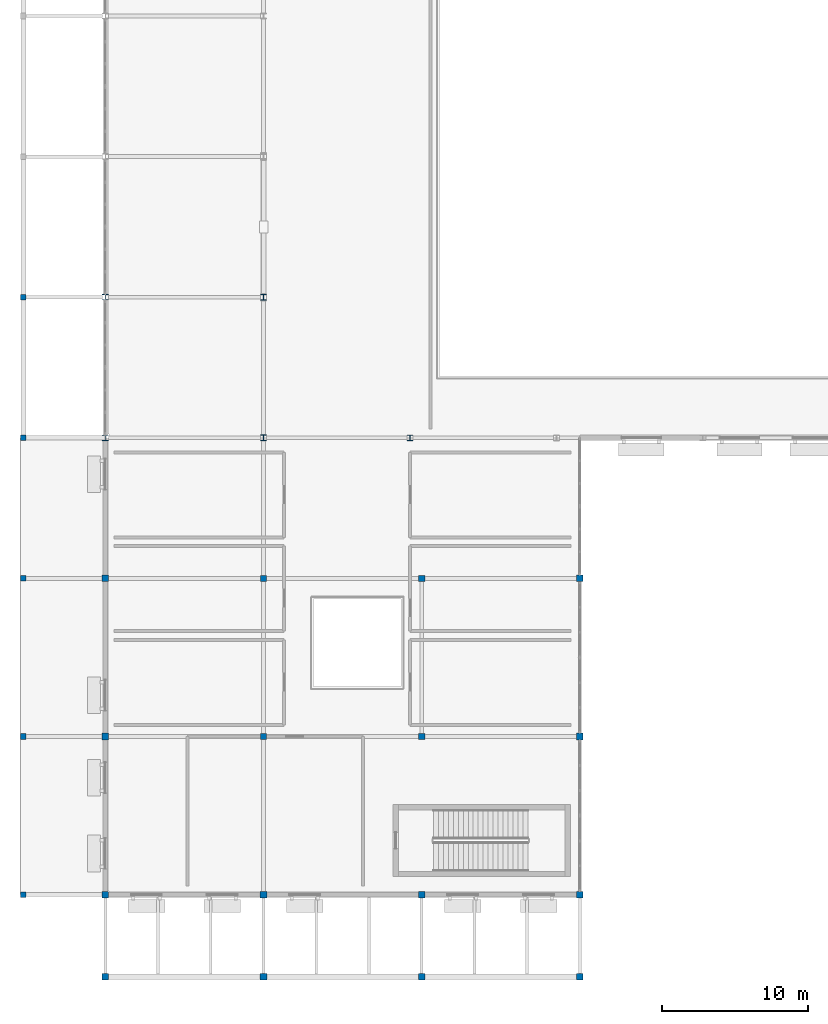
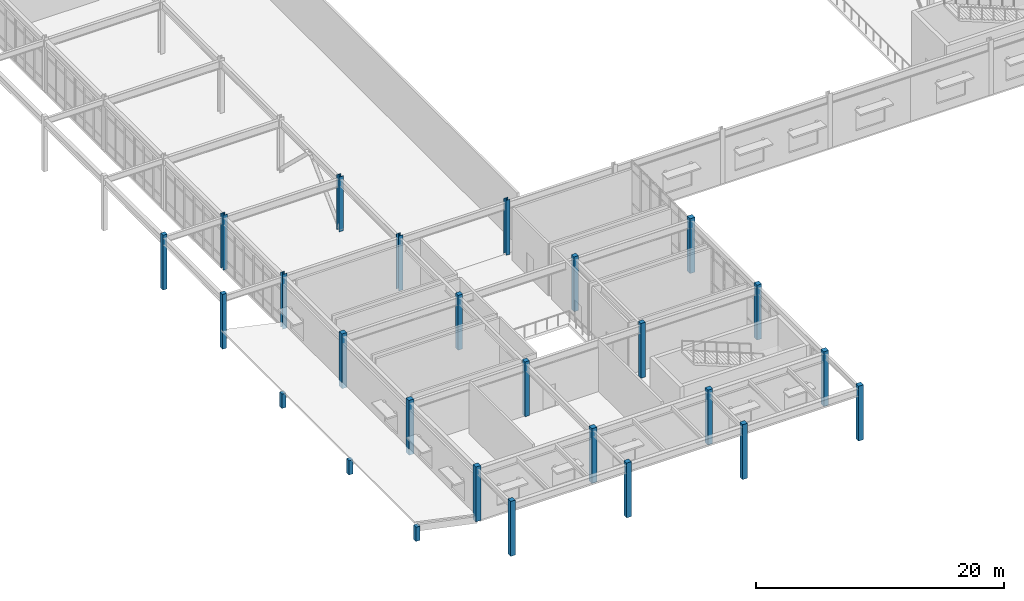
# One storey, part 1 of 72: 26 columns.
"""IFC4 building model written with IfcOpenShell, lengths in metres."""

from ifc_helpers import new_model, si_unit, direction, frame, origin, origin_2d, place, context, subcontext, project, spatial, rectangle, i_section, extrude, material, material_profile, profile_set, type_object, element, save


model = new_model("IFC4")

# Units and contexts
model_context = context("Model", 3, precision=1e-05, world=origin(), true_north=direction((0.0, 1.0)))
body_context = subcontext(model_context, "Body", "Model", "MODEL_VIEW")
ifc_project = project(units=[si_unit("LENGTHUNIT", "METRE"), si_unit("AREAUNIT", "SQUARE_METRE"), si_unit("VOLUMEUNIT", "CUBIC_METRE"), si_unit("PLANEANGLEUNIT", "RADIAN"), si_unit("MASSUNIT", "GRAM", prefix="KILO")], contexts=[model_context])

# Site, building, storey
site_placement = place(None, origin())
site = spatial("IfcSite", under=ifc_project, at=site_placement, CompositionType="ELEMENT")
building_placement = place(site_placement, origin())
building = spatial("IfcBuilding", under=site, at=building_placement, Name="Veldera Park Congress Hotel", CompositionType="ELEMENT")
storey_placement = place(building_placement, frame((0.0, 0.0, 5.39990234375)))
storey = spatial("IfcBuildingStorey", under=building, at=storey_placement, Name="L01", CompositionType="ELEMENT", Elevation=5.39990234375)

# Columns
ifc_material_1 = material(Name="Glulam GL28h (NDS 24F-V4)", Category="wood")
ifc_material_profile_1 = material_profile(ifc_material_1, rectangle(XDim=0.389892578125, YDim=0.389892578125, at=origin_2d()), Name="GL28h 390x390")
ifc_profile_set_1 = profile_set([ifc_material_profile_1], Name="Glulam GL28h (NDS 24F-V4)")
column_type_1 = type_object("IfcColumnType", Name="COL-GL36E", PredefinedType="COLUMN", material=ifc_profile_set_1)
for number, where, z_axis, x_axis, name in (
    (1, (-83.800048828125, -21.0, 0.0), (0.0, 0.0, 1.0), (1.0, 0.0, 0.0), "L01 Column COL-GL36E (-83.8,-21.0)"),
    (2, (-83.800048828125, -11.39990234375, 0.0), (0.0, 0.0, 1.0), (1.0, 0.0, 0.0), "L01 Column COL-GL36E (-83.8,-11.4)"),
):
    element("IfcColumn", number, at=place(storey_placement, frame(where, z_axis=z_axis, x_axis=x_axis)), inside=storey, type_object=column_type_1, Name=name, PredefinedType="COLUMN", context=body_context, shape_type="SweptSolid", body=[
        extrude(rectangle(XDim=0.389892578125, YDim=0.389892578125, at=origin_2d()), origin(), (0.0, 0.0, 1.0), 5.400146484375),
    ])
for number, where, z_axis, x_axis, name in (
    (3, (-83.800048828125, -52.199951171875, 0.0), (0.0, 0.0, 1.0), (1.0, 0.0, 0.0), "L01 Column COL-GL36E (-83.8,-52.2)"),
    (4, (-83.800048828125, -41.39990234375, 0.0), (0.0, 0.0, 1.0), (1.0, 0.0, 0.0), "L01 Column COL-GL36E (-83.8,-41.4)"),
    (5, (-83.800048828125, -30.60009765625, 0.0), (0.0, 0.0, 1.0), (1.0, 0.0, 0.0), "L01 Column COL-GL36E (-83.8,-30.6)"),
):
    element("IfcColumn", number, at=place(storey_placement, frame(where, z_axis=z_axis, x_axis=x_axis)), inside=storey, type_object=column_type_1, Name=name, PredefinedType="COLUMN", context=body_context, shape_type="SweptSolid", body=[
        extrude(rectangle(XDim=0.389892578125, YDim=0.389892578125, at=origin_2d()), origin(), (0.0, 0.0, 1.0), 1.400146484375),
    ])
ifc_material_profile_2 = material_profile(ifc_material_1, rectangle(XDim=0.419921875, YDim=0.419921875, at=origin_2d()), Name="GL28h 420x420")
ifc_profile_set_2 = profile_set([ifc_material_profile_2], Name="Glulam GL28h (NDS 24F-V4)")
column_type_2 = type_object("IfcColumnType", Name="COL-GL42", PredefinedType="COLUMN", material=ifc_profile_set_2)
for number, where, z_axis, x_axis, name in (
    (6, (-67.39990234375, -41.39990234375, 0.0), (0.0, 0.0, 1.0), (1.0, 0.0, 0.0), "L01 Column COL-GL42 (-67.4,-41.4)"),
    (7, (-67.39990234375, -30.60009765625, 0.0), (0.0, 0.0, 1.0), (1.0, 0.0, 0.0), "L01 Column COL-GL42 (-67.4,-30.6)"),
    (8, (-56.60009765625, -41.39990234375, 0.0), (0.0, 0.0, 1.0), (1.0, 0.0, 0.0), "L01 Column COL-GL42 (-56.6,-41.4)"),
    (9, (-56.60009765625, -30.60009765625, 0.0), (0.0, 0.0, 1.0), (1.0, 0.0, 0.0), "L01 Column COL-GL42 (-56.6,-30.6)"),
):
    element("IfcColumn", number, at=place(storey_placement, frame(where, z_axis=z_axis, x_axis=x_axis)), inside=storey, type_object=column_type_2, Name=name, PredefinedType="COLUMN", context=body_context, shape_type="SweptSolid", body=[
        extrude(rectangle(XDim=0.419921875, YDim=0.419921875, at=origin_2d()), origin(), (0.0, 0.0, 1.0), 5.400146484375),
    ])
ifc_material_profile_3 = material_profile(ifc_material_1, rectangle(XDim=0.449951171875, YDim=0.449951171875, at=origin_2d()), Name="GL28h 450x450")
ifc_profile_set_3 = profile_set([ifc_material_profile_3], Name="Glulam GL28h (NDS 24F-V4)")
column_type_3 = type_object("IfcColumnType", Name="COL-GL42E", PredefinedType="COLUMN", material=ifc_profile_set_3)
for number, where, z_axis, x_axis, name in (
    (10, (-78.199951171875, -57.800048828125, 0.0), (0.0, 0.0, 1.0), (1.0, 0.0, 0.0), "L01 Column COL-GL42E (-78.2,-57.8)"),
    (11, (-78.199951171875, -52.199951171875, 0.0), (0.0, 0.0, 1.0), (1.0, 0.0, 0.0), "L01 Column COL-GL42E (-78.2,-52.2)"),
    (12, (-78.199951171875, -41.39990234375, 0.0), (0.0, 0.0, 1.0), (1.0, 0.0, 0.0), "L01 Column COL-GL42E (-78.2,-41.4)"),
    (13, (-78.199951171875, -30.60009765625, 0.0), (0.0, 0.0, 1.0), (1.0, 0.0, 0.0), "L01 Column COL-GL42E (-78.2,-30.6)"),
    (14, (-67.39990234375, -57.800048828125, 0.0), (0.0, 0.0, 1.0), (1.0, 0.0, 0.0), "L01 Column COL-GL42E (-67.4,-57.8)"),
    (15, (-67.39990234375, -52.199951171875, 0.0), (0.0, 0.0, 1.0), (1.0, 0.0, 0.0), "L01 Column COL-GL42E (-67.4,-52.2)"),
    (16, (-56.60009765625, -57.800048828125, 0.0), (0.0, 0.0, 1.0), (1.0, 0.0, 0.0), "L01 Column COL-GL42E (-56.6,-57.8)"),
    (17, (-56.60009765625, -52.199951171875, 0.0), (0.0, 0.0, 1.0), (1.0, 0.0, 0.0), "L01 Column COL-GL42E (-56.6,-52.2)"),
    (18, (-45.800048828125, -57.800048828125, 0.0), (0.0, 0.0, 1.0), (1.0, 0.0, 0.0), "L01 Column COL-GL42E (-45.8,-57.8)"),
    (19, (-45.800048828125, -52.199951171875, 0.0), (0.0, 0.0, 1.0), (1.0, 0.0, 0.0), "L01 Column COL-GL42E (-45.8,-52.2)"),
    (20, (-45.800048828125, -41.39990234375, 0.0), (0.0, 0.0, 1.0), (1.0, 0.0, 0.0), "L01 Column COL-GL42E (-45.8,-41.4)"),
    (21, (-45.800048828125, -30.60009765625, 0.0), (0.0, 0.0, 1.0), (1.0, 0.0, 0.0), "L01 Column COL-GL42E (-45.8,-30.6)"),
):
    element("IfcColumn", number, at=place(storey_placement, frame(where, z_axis=z_axis, x_axis=x_axis)), inside=storey, type_object=column_type_3, Name=name, PredefinedType="COLUMN", context=body_context, shape_type="SweptSolid", body=[
        extrude(rectangle(XDim=0.449951171875, YDim=0.449951171875, at=origin_2d()), origin(), (0.0, 0.0, 1.0), 5.400146484375),
    ])
ifc_material_2 = material(Name="Steel ASTM A992 Gr.50", Category="steel")
ifc_material_profile_4 = material_profile(ifc_material_2, i_section(OverallWidth=0.39404296875, OverallDepth=0.375, WebThickness=0.017333984375, FlangeThickness=0.027587890625, at=origin_2d()), Name="W14X145")
ifc_profile_set_4 = profile_set([ifc_material_profile_4], Name="Steel ASTM A992 Gr.50")
column_type_4 = type_object("IfcColumnType", Name="COL-STL132E", PredefinedType="COLUMN", material=ifc_profile_set_4)
for number, where, z_axis, x_axis, name in (
    (22, (-78.199951171875, -21.0, 0.0), (0.0, 0.0, 1.0), (1.0, 0.0, 0.0), "L01 Column COL-STL132E (-78.2,-21.0)"),
    (23, (-78.199951171875, -11.39990234375, 0.0), (0.0, 0.0, 1.0), (1.0, 0.0, 0.0), "L01 Column COL-STL132E (-78.2,-11.4)"),
):
    element("IfcColumn", number, at=place(storey_placement, frame(where, z_axis=z_axis, x_axis=x_axis)), inside=storey, type_object=column_type_4, Name=name, PredefinedType="COLUMN", context=body_context, shape_type="SweptSolid", body=[
        extrude(i_section(OverallWidth=0.39404296875, OverallDepth=0.375, WebThickness=0.017333984375, FlangeThickness=0.027587890625, at=origin_2d()), origin(), (0.0, 0.0, 1.0), 5.400146484375),
    ])
ifc_material_profile_5 = material_profile(ifc_material_2, i_section(OverallWidth=0.39599609375, OverallDepth=0.381103515625, WebThickness=0.018798828125, FlangeThickness=0.0302734375, at=origin_2d()), Name="W14X159")
ifc_profile_set_5 = profile_set([ifc_material_profile_5], Name="Steel ASTM A992 Gr.50")
column_type_5 = type_object("IfcColumnType", Name="COL-STL159E", PredefinedType="COLUMN", material=ifc_profile_set_5)
column_1_placement = place(storey_placement, frame((-57.39990234375, -21.0, 0.0), z_axis=(0.0, 0.0, 1.0), x_axis=(1.0, 0.0, 0.0)))
element("IfcColumn", 24, at=column_1_placement, inside=storey, type_object=column_type_5, Name="L01 Column COL-STL159E (-57.4,-21.0)", PredefinedType="COLUMN", context=body_context, shape_type="SweptSolid", body=[
    extrude(i_section(OverallWidth=0.39599609375, OverallDepth=0.381103515625, WebThickness=0.018798828125, FlangeThickness=0.0302734375, at=origin_2d()), origin(), (0.0, 0.0, 1.0), 5.400146484375),
])
ifc_material_profile_6 = material_profile(ifc_material_2, i_section(OverallWidth=0.40087890625, OverallDepth=0.39892578125, WebThickness=0.02490234375, FlangeThickness=0.03955078125, at=origin_2d()), Name="W14X211")
ifc_profile_set_6 = profile_set([ifc_material_profile_6], Name="Steel ASTM A992 Gr.50")
column_type_6 = type_object("IfcColumnType", Name="COL-STL211", PredefinedType="COLUMN", material=ifc_profile_set_6)
column_2_placement = place(storey_placement, frame((-67.39990234375, -11.39990234375, 0.0), z_axis=(0.0, 0.0, 1.0), x_axis=(1.0, 0.0, 0.0)))
element("IfcColumn", 25, at=column_2_placement, inside=storey, type_object=column_type_6, Name="L01 Column COL-STL211 (-67.4,-11.4)", PredefinedType="COLUMN", context=body_context, shape_type="SweptSolid", body=[
    extrude(i_section(OverallWidth=0.40087890625, OverallDepth=0.39892578125, WebThickness=0.02490234375, FlangeThickness=0.03955078125, at=origin_2d()), origin(), (0.0, 0.0, 1.0), 5.400146484375),
])
ifc_material_profile_7 = material_profile(ifc_material_2, i_section(OverallWidth=0.40087890625, OverallDepth=0.39892578125, WebThickness=0.02490234375, FlangeThickness=0.03955078125, at=origin_2d()), Name="W14X211")
ifc_profile_set_7 = profile_set([ifc_material_profile_7], Name="Steel ASTM A992 Gr.50")
column_type_7 = type_object("IfcColumnType", Name="COL-STL211E", PredefinedType="COLUMN", material=ifc_profile_set_7)
column_3_placement = place(storey_placement, frame((-67.39990234375, -21.0, 0.0), z_axis=(0.0, 0.0, 1.0), x_axis=(1.0, 0.0, 0.0)))
element("IfcColumn", 26, at=column_3_placement, inside=storey, type_object=column_type_7, Name="L01 Column COL-STL211E (-67.4,-21.0)", PredefinedType="COLUMN", context=body_context, shape_type="SweptSolid", body=[
    extrude(i_section(OverallWidth=0.40087890625, OverallDepth=0.39892578125, WebThickness=0.02490234375, FlangeThickness=0.03955078125, at=origin_2d()), origin(), (0.0, 0.0, 1.0), 5.400146484375),
])

save(model, "model.ifc")
